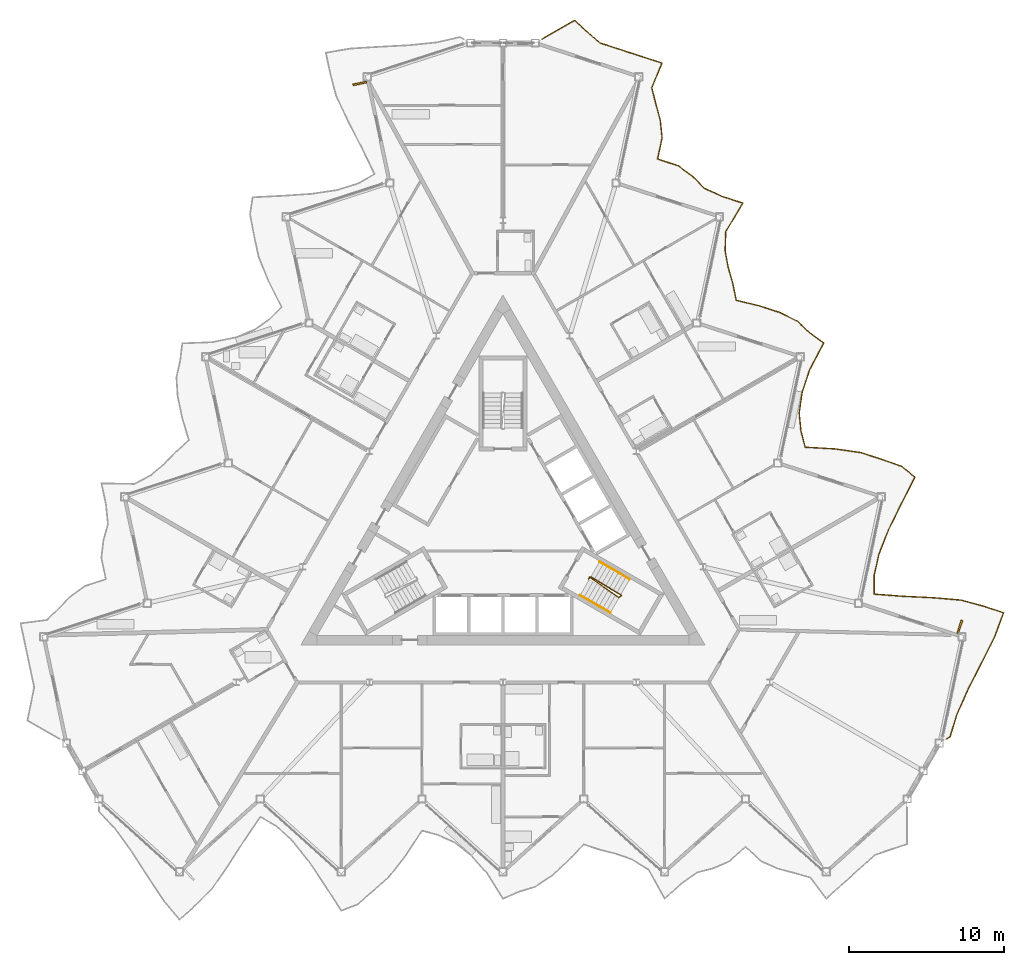
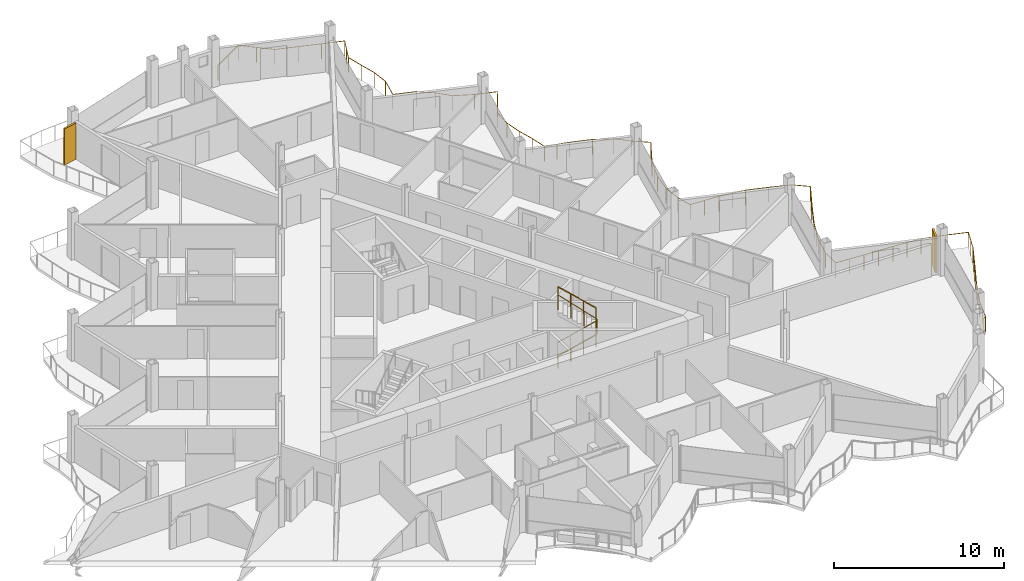
# One storey, part 24 of 26: 4 railings, 2 shading devices.
"""IFC4 building model written with IfcOpenShell, lengths in metres."""

from ifc_helpers import new_model, si_unit, direction, frame, origin, origin_2d, place, context, subcontext, project, spatial, rectangle, circle, extrude, material, layer, layer_set, type_object, element, save


model = new_model("IFC4")

# Units and contexts
model_context = context("Model", 3, precision=1e-05, world=origin(), true_north=direction((0.0, 1.0)))
body_context = subcontext(model_context, "Body", "Model", "MODEL_VIEW")
ifc_project = project(units=[si_unit("LENGTHUNIT", "METRE"), si_unit("AREAUNIT", "SQUARE_METRE"), si_unit("VOLUMEUNIT", "CUBIC_METRE"), si_unit("PLANEANGLEUNIT", "RADIAN"), si_unit("MASSUNIT", "GRAM", prefix="KILO")], contexts=[model_context])

# Site, building, storey
site_placement = place(None, origin())
site = spatial("IfcSite", under=ifc_project, at=site_placement, CompositionType="ELEMENT")
building_placement = place(site_placement, origin())
building = spatial("IfcBuilding", under=site, at=building_placement, Name="Cormorant Prow Tower", CompositionType="ELEMENT")
storey_placement = place(building_placement, frame((0.0, 0.0, 398.39990234375)))
storey = spatial("IfcBuildingStorey", under=building, at=storey_placement, Name="L91", CompositionType="ELEMENT", Elevation=398.39990234375)

# Railings
ifc_material_1 = material(Name="Aluminium 6063-T6", Category="aluminium")
railing_type_1 = type_object("IfcRailingType", Name="Balcony guard 1100", PredefinedType="GUARDRAIL", material=ifc_material_1)
railing_1_placement = place(storey_placement, frame((28.52685546875, -13.55224609375, 0.0)))
element("IfcRailing", 1, at=railing_1_placement, inside=storey, type_object=railing_type_1, Name="Balcony guard ENE", PredefinedType="GUARDRAIL", context=body_context, shape_type="SweptSolid", body=[
    extrude(circle(Radius=0.02392578125, at=origin_2d()), frame((0.0, 0.0, 1.076171875), z_axis=(0.866065156741, 0.499931139538, 0.0), x_axis=(-0.499931139538, 0.866065156741, 0.0)), (0.0, 0.0, 1.0), 0.27001953125),
    extrude(circle(Radius=0.02392578125, at=origin_2d()), frame((0.23388671875, 0.135009765625, 1.076171875), z_axis=(0.294635665896, 0.955609661097, 0.0), x_axis=(-0.955609661097, 0.294635665896, 0.0)), (0.0, 0.0, 1.0), 1.52880859375),
    extrude(circle(Radius=0.02392578125, at=origin_2d()), frame((0.684326171875, 1.595947265625, 1.076171875), z_axis=(0.40759544347, 0.913162611183, 0.0), x_axis=(-0.913162611183, 0.40759544347, 0.0)), (0.0, 0.0, 1.0), 1.771728515625),
    extrude(circle(Radius=0.02392578125, at=origin_2d()), frame((1.406494140625, 3.2138671875, 1.076171875), z_axis=(0.454002389748, 0.891000465827, 0.0), x_axis=(-0.891000465827, 0.454002389748, 0.0)), (0.0, 0.0, 1.0), 1.90966796875),
    extrude(circle(Radius=0.02392578125, at=origin_2d()), frame((2.2734375, 4.915283203125, 1.076171875), z_axis=(0.44664387204, 0.894711825991, 0.0), x_axis=(-0.894711825991, 0.44664387204, 0.0)), (0.0, 0.0, 1.0), 1.8857421875),
    extrude(circle(Radius=0.02392578125, at=origin_2d()), frame((3.11572265625, 6.6025390625, 1.076171875), z_axis=(0.347011519873, 0.937860866587, 0.0), x_axis=(-0.937860866587, 0.347011519873, 0.0)), (0.0, 0.0, 1.0), 1.6279296875),
    extrude(circle(Radius=0.02392578125, at=origin_2d()), frame((3.6806640625, 8.12939453125, 1.076171875), z_axis=(-0.951080208938, 0.308944066403, 0.0), x_axis=(-0.308944066403, -0.951080208938, 0.0)), (0.0, 0.0, 1.0), 1.3994140625),
    extrude(circle(Radius=0.02392578125, at=origin_2d()), frame((2.349609375, 8.561767578125, 1.076171875), z_axis=(-0.965272716618, 0.261244296689, 0.0), x_axis=(-0.261244296689, -0.965272716618, 0.0)), (0.0, 0.0, 1.0), 1.46728515625),
    extrude(circle(Radius=0.02392578125, at=origin_2d()), frame((0.933349609375, 8.945068359375, 1.076171875), z_axis=(-0.996577053623, 0.082669076395, 0.0), x_axis=(-0.082669076395, -0.996577053623, 0.0)), (0.0, 0.0, 1.0), 1.8251953125),
    extrude(circle(Radius=0.02392578125, at=origin_2d()), frame((-0.885498046875, 9.095947265625, 1.076171875), z_axis=(-0.998813708911, 0.048694711114, 0.0), x_axis=(-0.048694711114, -0.998813708911, 0.0)), (0.0, 0.0, 1.0), 1.920166015625),
    extrude(circle(Radius=0.02392578125, at=origin_2d()), frame((-2.803466796875, 9.189453125, 1.076171875), z_axis=(-0.997282146164, 0.073677139886, 0.0), x_axis=(-0.073677139886, -0.997282146164, 0.0)), (0.0, 0.0, 1.0), 1.84912109375),
    extrude(circle(Radius=0.02392578125, at=origin_2d()), frame((-4.6474609375, 9.32568359375, 1.076171875), z_axis=(0.002233496967, 0.999997505743, 0.0), x_axis=(-0.999997505743, 0.002233496967, 0.0)), (0.0, 0.0, 1.0), 1.202392578125),
    extrude(circle(Radius=0.02392578125, at=origin_2d()), frame((-4.644775390625, 10.528076171875, 1.076171875), z_axis=(0.2207792529, 0.975323803405, 0.0), x_axis=(-0.975323803405, 0.2207792529, 0.0)), (0.0, 0.0, 1.0), 1.41650390625),
    extrude(circle(Radius=0.02392578125, at=origin_2d()), frame((-4.33203125, 11.90966796875, 1.076171875), z_axis=(0.367993282522, 0.929828448704, 0.0), x_axis=(-0.929828448704, 0.367993282522, 0.0)), (0.0, 0.0, 1.0), 1.673828125),
    extrude(circle(Radius=0.02392578125, at=origin_2d()), frame((-3.716064453125, 13.466064453125, 1.076171875), z_axis=(0.44098146183, 0.897516211732, 0.0), x_axis=(-0.897516211732, 0.44098146183, 0.0)), (0.0, 0.0, 1.0), 1.867919921875),
    extrude(circle(Radius=0.02392578125, at=origin_2d()), frame((-2.892333984375, 15.142578125, 1.076171875), z_axis=(0.456208045682, 0.889873147732, 0.0), x_axis=(-0.889873147732, 0.456208045682, 0.0)), (0.0, 0.0, 1.0), 1.9169921875),
    extrude(circle(Radius=0.02392578125, at=origin_2d()), frame((-2.017822265625, 16.848388671875, 1.076171875), z_axis=(-0.778792533163, 0.627281587718, 0.0), x_axis=(-0.627281587718, -0.778792533163, 0.0)), (0.0, 0.0, 1.0), 1.114990234375),
    extrude(circle(Radius=0.02392578125, at=origin_2d()), frame((-2.88623046875, 17.5478515625, 1.076171875), z_axis=(-0.943899957521, 0.330231540275, 0.0), x_axis=(-0.330231540275, -0.943899957521, 0.0)), (0.0, 0.0, 1.0), 1.3720703125),
    extrude(circle(Radius=0.02392578125, at=origin_2d()), frame((-4.181396484375, 18.0009765625, 1.076171875), z_axis=(-0.951080208938, 0.308944066403, 0.0), x_axis=(-0.308944066403, -0.951080208938, 0.0)), (0.0, 0.0, 1.0), 1.3994140625),
    extrude(circle(Radius=0.02392578125, at=origin_2d()), frame((-5.512451171875, 18.433349609375, 1.076171875), z_axis=(-0.990145291497, 0.140043927845, 0.0), x_axis=(-0.140043927845, -0.990145291497, 0.0)), (0.0, 0.0, 1.0), 1.6875),
    extrude(circle(Radius=0.02392578125, at=origin_2d()), frame((-7.183349609375, 18.669677734375, 1.076171875), z_axis=(-0.998427340778, 0.056061084427, 0.0), x_axis=(-0.056061084427, -0.998427340778, 0.0)), (0.0, 0.0, 1.0), 1.898681640625),
    extrude(circle(Radius=0.02392578125, at=origin_2d()), frame((-9.0791015625, 18.776123046875, 1.076171875), z_axis=(-0.255307216485, 0.966859982216, 0.0), x_axis=(-0.966859982216, -0.255307216485, 0.0)), (0.0, 0.0, 1.0), 1.07763671875),
    extrude(circle(Radius=0.02392578125, at=origin_2d()), frame((-9.354248046875, 19.818115234375, 1.076171875), z_axis=(-0.095928166655, 0.995388259345, 0.0), x_axis=(-0.995388259345, -0.095928166655, 0.0)), (0.0, 0.0, 1.0), 1.142822265625),
    extrude(circle(Radius=0.02392578125, at=origin_2d()), frame((-9.4638671875, 20.95556640625, 1.076171875), z_axis=(0.132249005383, 0.991216525576, 0.0), x_axis=(-0.991216525576, 0.132249005383, 0.0)), (0.0, 0.0, 1.0), 1.3125),
    extrude(circle(Radius=0.02392578125, at=origin_2d()), frame((-9.290283203125, 22.256591796875, 1.076171875), z_axis=(0.314213465181, 0.949352357294, 0.0), x_axis=(-0.949352357294, 0.314213465181, 0.0)), (0.0, 0.0, 1.0), 1.56396484375),
    extrude(circle(Radius=0.02392578125, at=origin_2d()), frame((-8.798828125, 23.741455078125, 1.076171875), z_axis=(0.466375346365, 0.88458692976, 0.0), x_axis=(-0.88458692976, 0.466375346365, 0.0)), (0.0, 0.0, 1.0), 1.95166015625),
    extrude(circle(Radius=0.02392578125, at=origin_2d()), frame((-7.888671875, 25.4677734375, 1.076171875), z_axis=(-0.801704532419, 0.597720538963, 0.0), x_axis=(-0.597720538963, -0.801704532419, 0.0)), (0.0, 0.0, 1.0), 1.13232421875),
    extrude(circle(Radius=0.02392578125, at=origin_2d()), frame((-8.79638671875, 26.14453125, 1.076171875), z_axis=(-0.73190555382, 0.681406090585, 0.0), x_axis=(-0.681406090585, -0.73190555382, 0.0)), (0.0, 0.0, 1.0), 1.087646484375),
    extrude(circle(Radius=0.02392578125, at=origin_2d()), frame((-9.592529296875, 26.8857421875, 1.076171875), z_axis=(-0.896178639689, 0.443693414156, 0.0), x_axis=(-0.443693414156, -0.896178639689, 0.0)), (0.0, 0.0, 1.0), 1.24951171875),
    extrude(circle(Radius=0.02392578125, at=origin_2d()), frame((-10.71240234375, 27.440185546875, 1.076171875), z_axis=(-0.951080208938, 0.308944066403, 0.0), x_axis=(-0.308944066403, -0.951080208938, 0.0)), (0.0, 0.0, 1.0), 1.3994140625),
    extrude(circle(Radius=0.02392578125, at=origin_2d()), frame((-12.04345703125, 27.87255859375, 1.076171875), z_axis=(-0.972453246492, 0.233098012407, 0.0), x_axis=(-0.233098012407, -0.972453246492, 0.0)), (0.0, 0.0, 1.0), 1.511474609375),
    extrude(circle(Radius=0.02392578125, at=origin_2d()), frame((-13.51318359375, 28.224853515625, 1.076171875), z_axis=(-0.200653710147, 0.979662231896, 0.0), x_axis=(-0.979662231896, -0.200653710147, 0.0)), (0.0, 0.0, 1.0), 1.09619140625),
    extrude(circle(Radius=0.02392578125, at=origin_2d()), frame((-13.733154296875, 29.298828125, 1.076171875), z_axis=(-0.276165359258, 0.961110136429, 0.0), x_axis=(-0.961110136429, -0.276165359258, 0.0)), (0.0, 0.0, 1.0), 1.071533203125),
    extrude(circle(Radius=0.02392578125, at=origin_2d()), frame((-14.029052734375, 30.32861328125, 1.076171875), z_axis=(-0.181123027937, 0.983460445951, 0.0), x_axis=(-0.983460445951, -0.181123027937, 0.0)), (0.0, 0.0, 1.0), 1.10400390625),
    extrude(circle(Radius=0.02392578125, at=origin_2d()), frame((-14.22900390625, 31.414306640625, 1.076171875), z_axis=(0.033673078207, 0.999432901101, 0.0), x_axis=(-0.999432901101, 0.033673078207, 0.0)), (0.0, 0.0, 1.0), 1.225341796875),
    extrude(circle(Radius=0.02392578125, at=origin_2d()), frame((-14.187744140625, 32.638916015625, 1.076171875), z_axis=(0.513757157069, 0.857935652342, 0.0), x_axis=(-0.857935652342, 0.513757157069, 0.0)), (0.0, 0.0, 1.0), 2.139404296875),
    extrude(circle(Radius=0.02392578125, at=origin_2d()), frame((-13.088623046875, 34.474365234375, 1.076171875), z_axis=(-0.951063554534, 0.308995332064, 0.0), x_axis=(-0.308995332064, -0.951063554534, 0.0)), (0.0, 0.0, 1.0), 1.399169921875),
    extrude(circle(Radius=0.02392578125, at=origin_2d()), frame((-14.41943359375, 34.90673828125, 1.076171875), z_axis=(-0.910627757754, 0.413227645261, 0.0), x_axis=(-0.413227645261, -0.910627757754, 0.0)), (0.0, 0.0, 1.0), 1.279052734375),
    extrude(circle(Radius=0.02392578125, at=origin_2d()), frame((-15.584228515625, 35.435302734375, 1.076171875), z_axis=(-0.701632650606, 0.71253885761, 0.0), x_axis=(-0.71253885761, -0.701632650606, 0.0)), (0.0, 0.0, 1.0), 1.074462890625),
    extrude(circle(Radius=0.02392578125, at=origin_2d()), frame((-16.338134765625, 36.200927734375, 1.076171875), z_axis=(-0.800310692939, 0.599585519144, 0.0), x_axis=(-0.599585519144, -0.800310692939, 0.0)), (0.0, 0.0, 1.0), 1.131103515625),
    extrude(circle(Radius=0.02392578125, at=origin_2d()), frame((-17.243408203125, 36.879150390625, 1.076171875), z_axis=(-0.951012270488, 0.309153135811, 0.0), x_axis=(-0.309153135811, -0.951012270488, 0.0)), (0.0, 0.0, 1.0), 1.3994140625),
    extrude(circle(Radius=0.02392578125, at=origin_2d()), frame((-18.57421875, 37.311767578125, 1.076171875), z_axis=(0.20777738218, 0.978176139279, 0.0), x_axis=(-0.978176139279, 0.20777738218, 0.0)), (0.0, 0.0, 1.0), 1.3994140625),
    extrude(circle(Radius=0.02392578125, at=origin_2d()), frame((-18.283447265625, 38.6806640625, 1.076171875), z_axis=(-0.103769575479, 0.994601364972, 0.0), x_axis=(-0.994601364972, -0.103769575479, 0.0)), (0.0, 0.0, 1.0), 1.138671875),
    extrude(circle(Radius=0.02392578125, at=origin_2d()), frame((-18.401611328125, 39.813232421875, 1.076171875), z_axis=(-0.264385642395, 0.96441704262, 0.0), x_axis=(-0.96441704262, -0.264385642395, 0.0)), (0.0, 0.0, 1.0), 1.074951171875),
    extrude(circle(Radius=0.02392578125, at=origin_2d()), frame((-18.685791015625, 40.849853515625, 1.076171875), z_axis=(-0.242110869168, 0.970248590327, 0.0), x_axis=(-0.970248590327, -0.242110869168, 0.0)), (0.0, 0.0, 1.0), 1.08203125),
    extrude(circle(Radius=0.02392578125, at=origin_2d()), frame((-18.94775390625, 41.899658203125, 1.076171875), z_axis=(0.384767161334, 0.923013668132, 0.0), x_axis=(-0.923013668132, 0.384767161334, 0.0)), (0.0, 0.0, 1.0), 1.713134765625),
    extrude(circle(Radius=0.02392578125, at=origin_2d()), frame((-18.28857421875, 43.48095703125, 1.076171875), z_axis=(-0.951028941009, 0.309101849499, 0.0), x_axis=(-0.309101849499, -0.951028941009, 0.0)), (0.0, 0.0, 1.0), 1.399658203125),
    extrude(circle(Radius=0.02392578125, at=origin_2d()), frame((-19.61962890625, 43.91357421875, 1.076171875), z_axis=(-0.951063554534, 0.308995332064, 0.0), x_axis=(-0.308995332064, -0.951063554534, 0.0)), (0.0, 0.0, 1.0), 1.399169921875),
    extrude(circle(Radius=0.02392578125, at=origin_2d()), frame((-20.950439453125, 44.345947265625, 1.076171875), z_axis=(-0.951028941009, 0.309101849499, 0.0), x_axis=(-0.309101849499, -0.951028941009, 0.0)), (0.0, 0.0, 1.0), 1.399658203125),
    extrude(circle(Radius=0.02392578125, at=origin_2d()), frame((-22.281494140625, 44.778564453125, 1.076171875), z_axis=(-0.754266029203, 0.656568927981, 0.0), x_axis=(-0.656568927981, -0.754266029203, 0.0)), (0.0, 0.0, 1.0), 1.099609375),
    extrude(circle(Radius=0.02392578125, at=origin_2d()), frame((-23.11083984375, 45.50048828125, 1.076171875), z_axis=(-0.74506626077, 0.666990455001, 0.0), x_axis=(-0.666990455001, -0.74506626077, 0.0)), (0.0, 0.0, 1.0), 1.094482421875),
    extrude(circle(Radius=0.02392578125, at=origin_2d()), frame((-23.92626953125, 46.23046875, 1.076171875), z_axis=(-0.866070133608, -0.499922517669, 0.0), x_axis=(0.499922517669, -0.866070133608, 0.0)), (0.0, 0.0, 1.0), 2.39453125),
    extrude(circle(Radius=0.02099609375, at=origin_2d()), origin(), (0.0, 0.0, 1.0), 1.052001953125),
    extrude(circle(Radius=0.02099609375, at=origin_2d()), frame((0.23388671875, 0.135009765625, 0.0)), (0.0, 0.0, 1.0), 1.052001953125),
    extrude(circle(Radius=0.02099609375, at=origin_2d()), frame((0.458984375, 0.865478515625, 0.0)), (0.0, 0.0, 1.0), 1.052001953125),
    extrude(circle(Radius=0.02099609375, at=origin_2d()), frame((0.684326171875, 1.595947265625, 0.0)), (0.0, 0.0, 1.0), 1.052001953125),
    extrude(circle(Radius=0.02099609375, at=origin_2d()), frame((1.04541015625, 2.40478515625, 0.0)), (0.0, 0.0, 1.0), 1.052001953125),
    extrude(circle(Radius=0.02099609375, at=origin_2d()), frame((1.406494140625, 3.2138671875, 0.0)), (0.0, 0.0, 1.0), 1.052001953125),
    extrude(circle(Radius=0.02099609375, at=origin_2d()), frame((1.83984375, 4.064453125, 0.0)), (0.0, 0.0, 1.0), 1.052001953125),
    extrude(circle(Radius=0.02099609375, at=origin_2d()), frame((2.2734375, 4.915283203125, 0.0)), (0.0, 0.0, 1.0), 1.052001953125),
    extrude(circle(Radius=0.02099609375, at=origin_2d()), frame((2.694580078125, 5.7587890625, 0.0)), (0.0, 0.0, 1.0), 1.052001953125),
    extrude(circle(Radius=0.02099609375, at=origin_2d()), frame((3.11572265625, 6.6025390625, 0.0)), (0.0, 0.0, 1.0), 1.052001953125),
    extrude(circle(Radius=0.02099609375, at=origin_2d()), frame((3.398193359375, 7.365966796875, 0.0)), (0.0, 0.0, 1.0), 1.052001953125),
    extrude(circle(Radius=0.02099609375, at=origin_2d()), frame((3.6806640625, 8.12939453125, 0.0)), (0.0, 0.0, 1.0), 1.052001953125),
    extrude(circle(Radius=0.02099609375, at=origin_2d()), frame((2.349609375, 8.561767578125, 0.0)), (0.0, 0.0, 1.0), 1.052001953125),
    extrude(circle(Radius=0.02099609375, at=origin_2d()), frame((0.933349609375, 8.945068359375, 0.0)), (0.0, 0.0, 1.0), 1.052001953125),
    extrude(circle(Radius=0.02099609375, at=origin_2d()), frame((0.02392578125, 9.0205078125, 0.0)), (0.0, 0.0, 1.0), 1.052001953125),
    extrude(circle(Radius=0.02099609375, at=origin_2d()), frame((-0.885498046875, 9.095947265625, 0.0)), (0.0, 0.0, 1.0), 1.052001953125),
    extrude(circle(Radius=0.02099609375, at=origin_2d()), frame((-1.844482421875, 9.142578125, 0.0)), (0.0, 0.0, 1.0), 1.052001953125),
    extrude(circle(Radius=0.02099609375, at=origin_2d()), frame((-2.803466796875, 9.189453125, 0.0)), (0.0, 0.0, 1.0), 1.052001953125),
    extrude(circle(Radius=0.02099609375, at=origin_2d()), frame((-3.7255859375, 9.257568359375, 0.0)), (0.0, 0.0, 1.0), 1.052001953125),
    extrude(circle(Radius=0.02099609375, at=origin_2d()), frame((-4.6474609375, 9.32568359375, 0.0)), (0.0, 0.0, 1.0), 1.052001953125),
    extrude(circle(Radius=0.02099609375, at=origin_2d()), frame((-4.644775390625, 10.528076171875, 0.0)), (0.0, 0.0, 1.0), 1.052001953125),
    extrude(circle(Radius=0.02099609375, at=origin_2d()), frame((-4.33203125, 11.90966796875, 0.0)), (0.0, 0.0, 1.0), 1.052001953125),
    extrude(circle(Radius=0.02099609375, at=origin_2d()), frame((-4.02392578125, 12.68798828125, 0.0)), (0.0, 0.0, 1.0), 1.052001953125),
    extrude(circle(Radius=0.02099609375, at=origin_2d()), frame((-3.716064453125, 13.466064453125, 0.0)), (0.0, 0.0, 1.0), 1.052001953125),
    extrude(circle(Radius=0.02099609375, at=origin_2d()), frame((-3.30419921875, 14.30419921875, 0.0)), (0.0, 0.0, 1.0), 1.052001953125),
    extrude(circle(Radius=0.02099609375, at=origin_2d()), frame((-2.892333984375, 15.142578125, 0.0)), (0.0, 0.0, 1.0), 1.052001953125),
    extrude(circle(Radius=0.02099609375, at=origin_2d()), frame((-2.455078125, 15.99560546875, 0.0)), (0.0, 0.0, 1.0), 1.052001953125),
    extrude(circle(Radius=0.02099609375, at=origin_2d()), frame((-2.017822265625, 16.848388671875, 0.0)), (0.0, 0.0, 1.0), 1.052001953125),
    extrude(circle(Radius=0.02099609375, at=origin_2d()), frame((-2.88623046875, 17.5478515625, 0.0)), (0.0, 0.0, 1.0), 1.052001953125),
    extrude(circle(Radius=0.02099609375, at=origin_2d()), frame((-4.181396484375, 18.0009765625, 0.0)), (0.0, 0.0, 1.0), 1.052001953125),
    extrude(circle(Radius=0.02099609375, at=origin_2d()), frame((-5.512451171875, 18.433349609375, 0.0)), (0.0, 0.0, 1.0), 1.052001953125),
    extrude(circle(Radius=0.02099609375, at=origin_2d()), frame((-6.347900390625, 18.551513671875, 0.0)), (0.0, 0.0, 1.0), 1.052001953125),
    extrude(circle(Radius=0.02099609375, at=origin_2d()), frame((-7.183349609375, 18.669677734375, 0.0)), (0.0, 0.0, 1.0), 1.052001953125),
    extrude(circle(Radius=0.02099609375, at=origin_2d()), frame((-8.13134765625, 18.722900390625, 0.0)), (0.0, 0.0, 1.0), 1.052001953125),
    extrude(circle(Radius=0.02099609375, at=origin_2d()), frame((-9.0791015625, 18.776123046875, 0.0)), (0.0, 0.0, 1.0), 1.052001953125),
    extrude(circle(Radius=0.02099609375, at=origin_2d()), frame((-9.354248046875, 19.818115234375, 0.0)), (0.0, 0.0, 1.0), 1.052001953125),
    extrude(circle(Radius=0.02099609375, at=origin_2d()), frame((-9.4638671875, 20.95556640625, 0.0)), (0.0, 0.0, 1.0), 1.052001953125),
    extrude(circle(Radius=0.02099609375, at=origin_2d()), frame((-9.290283203125, 22.256591796875, 0.0)), (0.0, 0.0, 1.0), 1.052001953125),
    extrude(circle(Radius=0.02099609375, at=origin_2d()), frame((-9.04443359375, 22.9990234375, 0.0)), (0.0, 0.0, 1.0), 1.052001953125),
    extrude(circle(Radius=0.02099609375, at=origin_2d()), frame((-8.798828125, 23.741455078125, 0.0)), (0.0, 0.0, 1.0), 1.052001953125),
    extrude(circle(Radius=0.02099609375, at=origin_2d()), frame((-8.34375, 24.6044921875, 0.0)), (0.0, 0.0, 1.0), 1.052001953125),
    extrude(circle(Radius=0.02099609375, at=origin_2d()), frame((-7.888671875, 25.4677734375, 0.0)), (0.0, 0.0, 1.0), 1.052001953125),
    extrude(circle(Radius=0.02099609375, at=origin_2d()), frame((-8.79638671875, 26.14453125, 0.0)), (0.0, 0.0, 1.0), 1.052001953125),
    extrude(circle(Radius=0.02099609375, at=origin_2d()), frame((-9.592529296875, 26.8857421875, 0.0)), (0.0, 0.0, 1.0), 1.052001953125),
    extrude(circle(Radius=0.02099609375, at=origin_2d()), frame((-10.71240234375, 27.440185546875, 0.0)), (0.0, 0.0, 1.0), 1.052001953125),
    extrude(circle(Radius=0.02099609375, at=origin_2d()), frame((-12.04345703125, 27.87255859375, 0.0)), (0.0, 0.0, 1.0), 1.052001953125),
    extrude(circle(Radius=0.02099609375, at=origin_2d()), frame((-12.7783203125, 28.048828125, 0.0)), (0.0, 0.0, 1.0), 1.052001953125),
    extrude(circle(Radius=0.02099609375, at=origin_2d()), frame((-13.51318359375, 28.224853515625, 0.0)), (0.0, 0.0, 1.0), 1.052001953125),
    extrude(circle(Radius=0.02099609375, at=origin_2d()), frame((-13.733154296875, 29.298828125, 0.0)), (0.0, 0.0, 1.0), 1.052001953125),
    extrude(circle(Radius=0.02099609375, at=origin_2d()), frame((-14.029052734375, 30.32861328125, 0.0)), (0.0, 0.0, 1.0), 1.052001953125),
    extrude(circle(Radius=0.02099609375, at=origin_2d()), frame((-14.22900390625, 31.414306640625, 0.0)), (0.0, 0.0, 1.0), 1.052001953125),
    extrude(circle(Radius=0.02099609375, at=origin_2d()), frame((-14.187744140625, 32.638916015625, 0.0)), (0.0, 0.0, 1.0), 1.052001953125),
    extrude(circle(Radius=0.02099609375, at=origin_2d()), frame((-13.63818359375, 33.556640625, 0.0)), (0.0, 0.0, 1.0), 1.052001953125),
    extrude(circle(Radius=0.02099609375, at=origin_2d()), frame((-13.088623046875, 34.474365234375, 0.0)), (0.0, 0.0, 1.0), 1.052001953125),
    extrude(circle(Radius=0.02099609375, at=origin_2d()), frame((-14.41943359375, 34.90673828125, 0.0)), (0.0, 0.0, 1.0), 1.052001953125),
    extrude(circle(Radius=0.02099609375, at=origin_2d()), frame((-15.584228515625, 35.435302734375, 0.0)), (0.0, 0.0, 1.0), 1.052001953125),
    extrude(circle(Radius=0.02099609375, at=origin_2d()), frame((-16.338134765625, 36.200927734375, 0.0)), (0.0, 0.0, 1.0), 1.052001953125),
    extrude(circle(Radius=0.02099609375, at=origin_2d()), frame((-17.243408203125, 36.879150390625, 0.0)), (0.0, 0.0, 1.0), 1.052001953125),
    extrude(circle(Radius=0.02099609375, at=origin_2d()), frame((-18.57421875, 37.311767578125, 0.0)), (0.0, 0.0, 1.0), 1.052001953125),
    extrude(circle(Radius=0.02099609375, at=origin_2d()), frame((-18.283447265625, 38.6806640625, 0.0)), (0.0, 0.0, 1.0), 1.052001953125),
    extrude(circle(Radius=0.02099609375, at=origin_2d()), frame((-18.401611328125, 39.813232421875, 0.0)), (0.0, 0.0, 1.0), 1.052001953125),
    extrude(circle(Radius=0.02099609375, at=origin_2d()), frame((-18.685791015625, 40.849853515625, 0.0)), (0.0, 0.0, 1.0), 1.052001953125),
    extrude(circle(Radius=0.02099609375, at=origin_2d()), frame((-18.94775390625, 41.899658203125, 0.0)), (0.0, 0.0, 1.0), 1.052001953125),
    extrude(circle(Radius=0.02099609375, at=origin_2d()), frame((-18.6181640625, 42.6904296875, 0.0)), (0.0, 0.0, 1.0), 1.052001953125),
    extrude(circle(Radius=0.02099609375, at=origin_2d()), frame((-18.28857421875, 43.48095703125, 0.0)), (0.0, 0.0, 1.0), 1.052001953125),
    extrude(circle(Radius=0.02099609375, at=origin_2d()), frame((-19.61962890625, 43.91357421875, 0.0)), (0.0, 0.0, 1.0), 1.052001953125),
    extrude(circle(Radius=0.02099609375, at=origin_2d()), frame((-20.950439453125, 44.345947265625, 0.0)), (0.0, 0.0, 1.0), 1.052001953125),
    extrude(circle(Radius=0.02099609375, at=origin_2d()), frame((-22.281494140625, 44.778564453125, 0.0)), (0.0, 0.0, 1.0), 1.052001953125),
    extrude(circle(Radius=0.02099609375, at=origin_2d()), frame((-23.11083984375, 45.50048828125, 0.0)), (0.0, 0.0, 1.0), 1.052001953125),
    extrude(circle(Radius=0.02099609375, at=origin_2d()), frame((-23.92626953125, 46.23046875, 0.0)), (0.0, 0.0, 1.0), 1.052001953125),
    extrude(circle(Radius=0.02099609375, at=origin_2d()), frame((-24.963134765625, 45.6318359375, 0.0)), (0.0, 0.0, 1.0), 1.052001953125),
    extrude(circle(Radius=0.02099609375, at=origin_2d()), frame((-26.0, 45.033447265625, 0.0)), (0.0, 0.0, 1.0), 1.052001953125),
])
ifc_material_2 = material(Name="Stainless steel", Category="steel")
railing_type_2 = type_object("IfcRailingType", Name="Stair guard 1100", PredefinedType="GUARDRAIL", material=ifc_material_2)
railing_2_placement = place(storey_placement, frame((5.510009765625, -3.267822265625, 0.0)))
element("IfcRailing", 2, at=railing_2_placement, inside=storey, type_object=railing_type_2, Name="L91 ST2 stair guard 1", PredefinedType="GUARDRAIL", context=body_context, shape_type="SweptSolid", body=[
    extrude(circle(Radius=0.02392578125, at=origin_2d()), frame((0.0, 0.0, 1.076171875), z_axis=(0.501036270542, 0.865426285481, 0.0), x_axis=(-0.865426285481, 0.501036270542, 0.0)), (0.0, 0.0, 1.0), 0.150146484375),
    extrude(circle(Radius=0.02392578125, at=origin_2d()), frame((0.0751953125, 0.1298828125, 1.076171875), z_axis=(0.658637147058, -0.461037463629, 0.594677698965), x_axis=(0.573455215813, 0.819236910458, 0.0)), (0.0, 0.0, 1.0), 2.859130859375),
    extrude(circle(Radius=0.02392578125, at=origin_2d()), frame((1.958251953125, -1.188232421875, 2.7763671875), z_axis=(0.695164929852, 0.718850276695, 0.0), x_axis=(-0.718850276695, 0.695164929852, 0.0)), (0.0, 0.0, 1.0), 0.2060546875),
    extrude(circle(Radius=0.02392578125, at=origin_2d()), frame((2.1015625, -1.0400390625, 2.7763671875), z_axis=(-0.686515364547, 0.416565300991, 0.595961411712), x_axis=(-0.518752825935, -0.854924268918, 0.0)), (0.0, 0.0, 1.0), 2.8525390625),
    extrude(circle(Radius=0.02099609375, at=origin_2d()), origin(), (0.0, 0.0, 1.0), 1.052001953125),
    extrude(circle(Radius=0.02099609375, at=origin_2d()), frame((0.0751953125, 0.1298828125, 0.0)), (0.0, 0.0, 1.0), 1.052001953125),
    extrude(circle(Radius=0.02099609375, at=origin_2d()), frame((0.702880859375, -0.3095703125, 0.566650390625)), (0.0, 0.0, 1.0), 1.052001953125),
    extrude(circle(Radius=0.02099609375, at=origin_2d()), frame((1.33056640625, -0.748779296875, 1.133544921875)), (0.0, 0.0, 1.0), 1.052001953125),
    extrude(circle(Radius=0.02099609375, at=origin_2d()), frame((1.958251953125, -1.188232421875, 1.7001953125)), (0.0, 0.0, 1.0), 1.052001953125),
    extrude(circle(Radius=0.02099609375, at=origin_2d()), frame((2.1015625, -1.0400390625, 1.7001953125)), (0.0, 0.0, 1.0), 1.052001953125),
    extrude(circle(Radius=0.02099609375, at=origin_2d()), frame((1.44873046875, -0.64404296875, 2.266845703125)), (0.0, 0.0, 1.0), 1.052001953125),
    extrude(circle(Radius=0.02099609375, at=origin_2d()), frame((0.796142578125, -0.247802734375, 2.83349609375)), (0.0, 0.0, 1.0), 1.052001953125),
    extrude(circle(Radius=0.02099609375, at=origin_2d()), frame((0.143310546875, 0.148193359375, 3.400146484375)), (0.0, 0.0, 1.0), 1.052001953125),
])
ifc_material_3 = material(Name="Stainless steel", Category="steel")
railing_type_3 = type_object("IfcRailingType", Name="Stair handrail 900", PredefinedType="HANDRAIL", material=ifc_material_3)
railing_3_placement = place(storey_placement, frame((4.968994140625, -4.30517578125, 0.18896484375)))
element("IfcRailing", 3, at=railing_3_placement, inside=storey, type_object=railing_type_3, Name="L91 ST2 stair handrail 1", PredefinedType="HANDRAIL", context=body_context, shape_type="SweptSolid", body=[
    extrude(circle(Radius=0.02392578125, at=origin_2d()), frame((0.0, 0.0, 0.8759765625), z_axis=(0.717869644322, -0.414548260308, 0.559296802813), x_axis=(0.500077830873, 0.865980463445, 0.0)), (0.0, 0.0, 1.0), 2.701904296875),
    extrude(circle(Radius=0.02099609375, at=origin_2d()), origin(), (0.0, 0.0, 1.0), 0.851806640625),
    extrude(circle(Radius=0.02099609375, at=origin_2d()), frame((0.646484375, -0.373291015625, 0.503662109375)), (0.0, 0.0, 1.0), 0.851806640625),
    extrude(circle(Radius=0.02099609375, at=origin_2d()), frame((1.293212890625, -0.746826171875, 1.007568359375)), (0.0, 0.0, 1.0), 0.851806640625),
    extrude(circle(Radius=0.02099609375, at=origin_2d()), frame((1.939697265625, -1.1201171875, 1.51123046875)), (0.0, 0.0, 1.0), 0.851806640625),
])
railing_4_placement = place(storey_placement, frame((8.15283203125, -3.2705078125, 1.888916015625)))
element("IfcRailing", 4, at=railing_4_placement, inside=storey, type_object=railing_type_3, Name="L91 ST2 stair handrail 2", PredefinedType="HANDRAIL", context=body_context, shape_type="SweptSolid", body=[
    extrude(circle(Radius=0.02392578125, at=origin_2d()), frame((0.0, 0.0, 0.8759765625), z_axis=(-0.717940317343, 0.414446543626, 0.55928147047), x_axis=(-0.49994888933, -0.866054910533, 0.0)), (0.0, 0.0, 1.0), 2.7021484375),
    extrude(circle(Radius=0.02099609375, at=origin_2d()), origin(), (0.0, 0.0, 1.0), 0.851806640625),
    extrude(circle(Radius=0.02099609375, at=origin_2d()), frame((-0.646728515625, 0.373291015625, 0.503662109375)), (0.0, 0.0, 1.0), 0.851806640625),
    extrude(circle(Radius=0.02099609375, at=origin_2d()), frame((-1.293212890625, 0.74658203125, 1.007568359375)), (0.0, 0.0, 1.0), 0.851806640625),
    extrude(circle(Radius=0.02099609375, at=origin_2d()), frame((-1.93994140625, 1.119873046875, 1.51123046875)), (0.0, 0.0, 1.0), 0.851806640625),
])

# Shading devices
ifc_material_4 = material(Name="Terracotta", Category="masonry")
ifc_layer = layer(ifc_material_4, 0.1201171875)
ifc_layer_set = layer_set([ifc_layer], Name="Terracotta")
shading_device_type = type_object("IfcShadingDeviceType", Name="Terracotta baguette fin 120x900x2600", PredefinedType="USERDEFINED", material=ifc_layer_set)
for number, where, z_axis, x_axis, name in (
    (5, (29.386474609375, -6.338134765625, 0.0), (0.0, 0.0, 1.0), (-0.951056492904, 0.309017066365, 0.0), "Baguette fin ENE01"),
    (6, (-9.2041015625, 28.61865234375, 0.0), (0.0, 0.0, 1.0), (0.207911620089, -0.978147615768, 0.0), "Baguette fin WNW01"),
):
    element("IfcShadingDevice", number, at=place(storey_placement, frame(where, z_axis=z_axis, x_axis=x_axis)), inside=storey, type_object=shading_device_type, Name=name, ObjectType="BAGUETTE", PredefinedType="USERDEFINED", context=body_context, shape_type="SweptSolid", body=[
        extrude(rectangle(XDim=0.1201171875, YDim=0.89990234375, at=origin_2d()), origin(), (0.0, 0.0, 1.0), 2.60009765625),
    ])

save(model, "model.ifc")
